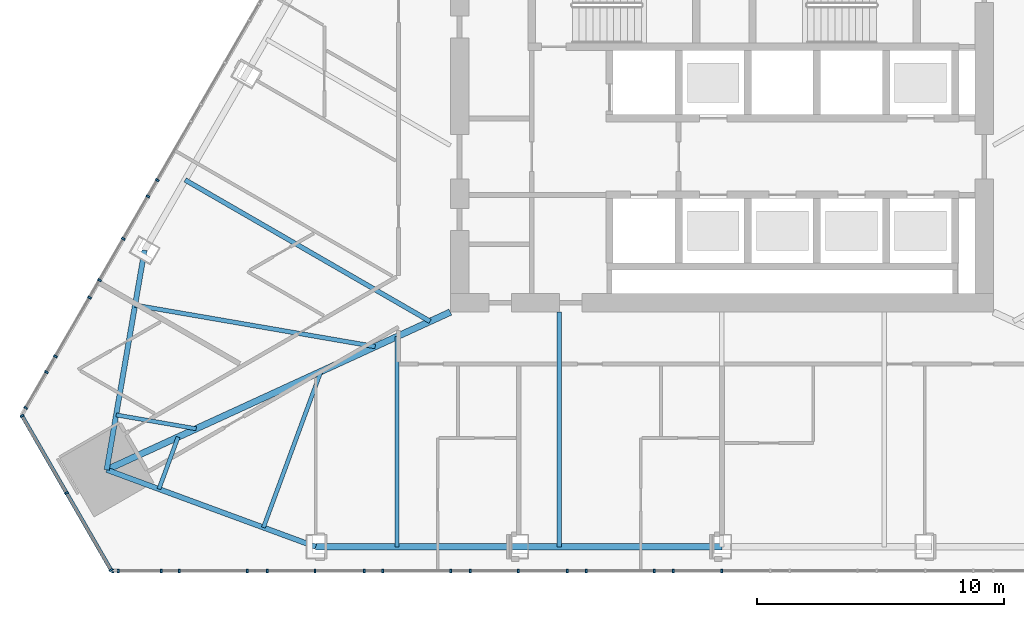
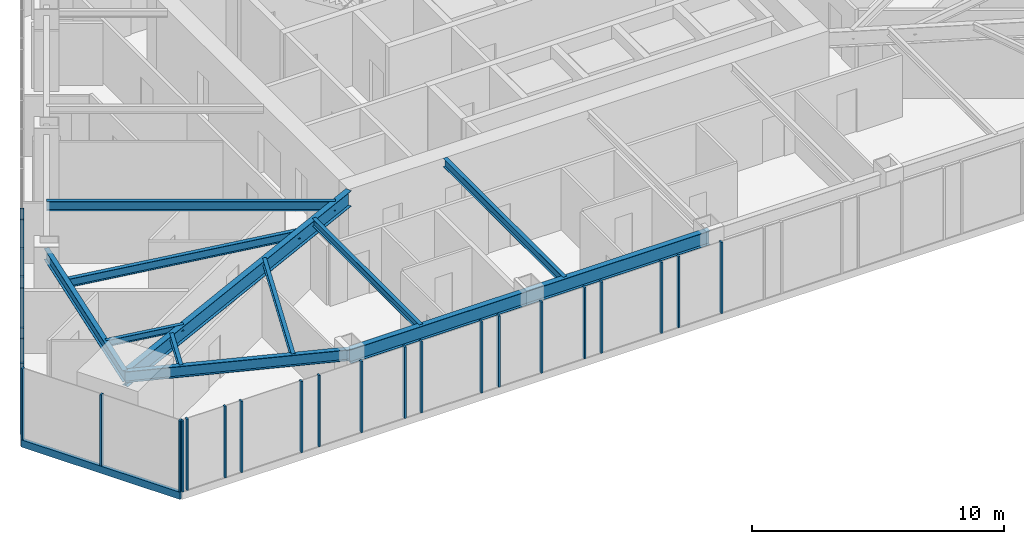
# One storey, part 2 of 24: 29 members, 11 beams, 3 elements without a shape of their own.
"""IFC4 building model written with IfcOpenShell, lengths in metres."""

from ifc_helpers import new_model, si_unit, direction, frame, origin, origin_2d, place, context, subcontext, project, spatial, rectangle, i_section, extrude, material, layer, layer_set, material_profile, profile_set, type_object, element, aggregate, save


model = new_model("IFC4")

# Units and contexts
model_context = context("Model", 3, precision=1e-05, world=origin(), true_north=direction((0.0, 1.0)))
body_context = subcontext(model_context, "Body", "Model", "MODEL_VIEW")
ifc_project = project(units=[si_unit("LENGTHUNIT", "METRE"), si_unit("AREAUNIT", "SQUARE_METRE"), si_unit("VOLUMEUNIT", "CUBIC_METRE"), si_unit("PLANEANGLEUNIT", "RADIAN"), si_unit("MASSUNIT", "GRAM", prefix="KILO")], contexts=[model_context])

# Site, building, storey
site_placement = place(None, origin())
site = spatial("IfcSite", under=ifc_project, at=site_placement, CompositionType="ELEMENT")
building_placement = place(site_placement, origin())
building = spatial("IfcBuilding", under=site, at=building_placement, Name="Firuza Gate Tower and Library", CompositionType="ELEMENT")
storey_placement = place(building_placement, frame((0.0, 0.0, 237.699951171875)))
storey = spatial("IfcBuildingStorey", under=building, at=storey_placement, Name="L56", CompositionType="ELEMENT", Elevation=237.699951171875)

# Curtain wall, members
ifc_material_1 = material(Name="Aluminium 6063-T6", Category="aluminium")
ifc_layer_1 = layer(ifc_material_1, 0.14990234375)
ifc_layer_set_1 = layer_set([ifc_layer_1], Name="Unitised curtain wall, hotel")
curtain_wall_type_1 = type_object("IfcCurtainWallType", Name="Unitised curtain wall, hotel", PredefinedType="NOTDEFINED", material=ifc_layer_set_1)
placement = place(storey_placement, origin())
curtain_wall_1 = element("IfcCurtainWall", 1, at=placement, inside=storey, type_object=curtain_wall_type_1, Name="CW2 L56 S face", PredefinedType="NOTDEFINED")
ifc_material_2 = material(Name="Aluminium 6063-T6", Category="aluminium")
ifc_material_profile_1 = material_profile(ifc_material_2, rectangle(XDim=0.14990234375, YDim=0.080078125, at=origin_2d()))
ifc_profile_set_1 = profile_set([ifc_material_profile_1], Name="Aluminium 6063-T6")
member_type_1 = type_object("IfcMemberType", Name="Curtain wall mullion 80x150", PredefinedType="MULLION", material=ifc_profile_set_1)
member_1_placement = place(storey_placement, frame((50.320068359375, 56.52099609375, 0.150146484375), z_axis=(0.0, 0.0, 1.0), x_axis=(0.0, 1.0, 0.0)))
member_1 = element("IfcMember", 2, at=member_1_placement, type_object=member_type_1, Name="Mullion", PredefinedType="MULLION", context=body_context, shape_type="SweptSolid", body=[
    extrude(rectangle(XDim=0.14990234375, YDim=0.080078125, at=origin_2d()), origin(), (0.0, 0.0, 1.0), 3.449951171875),
])
member_2_placement = place(storey_placement, frame((53.026611328125, 56.52099609375, 0.150146484375), z_axis=(0.0, 0.0, 1.0), x_axis=(0.0, 1.0, 0.0)))
member_2 = element("IfcMember", 3, at=member_2_placement, type_object=member_type_1, Name="Mullion", PredefinedType="MULLION", context=body_context, shape_type="SweptSolid", body=[
    extrude(rectangle(XDim=0.14990234375, YDim=0.080078125, at=origin_2d()), origin(), (0.0, 0.0, 1.0), 3.449951171875),
])
member_3_placement = place(storey_placement, frame((55.7734375, 56.52099609375, 0.150146484375), z_axis=(0.0, 0.0, 1.0), x_axis=(0.0, 1.0, 0.0)))
member_3 = element("IfcMember", 4, at=member_3_placement, type_object=member_type_1, Name="Mullion", PredefinedType="MULLION", context=body_context, shape_type="SweptSolid", body=[
    extrude(rectangle(XDim=0.14990234375, YDim=0.080078125, at=origin_2d()), origin(), (0.0, 0.0, 1.0), 3.449951171875),
])
member_4_placement = place(storey_placement, frame((58.52001953125, 56.52099609375, 0.150146484375), z_axis=(0.0, 0.0, 1.0), x_axis=(0.0, 1.0, 0.0)))
member_4 = element("IfcMember", 5, at=member_4_placement, type_object=member_type_1, Name="Mullion", PredefinedType="MULLION", context=body_context, shape_type="SweptSolid", body=[
    extrude(rectangle(XDim=0.14990234375, YDim=0.080078125, at=origin_2d()), origin(), (0.0, 0.0, 1.0), 3.449951171875),
])
member_5_placement = place(storey_placement, frame((61.2666015625, 56.52099609375, 0.150146484375), z_axis=(0.0, 0.0, 1.0), x_axis=(0.0, 1.0, 0.0)))
member_5 = element("IfcMember", 6, at=member_5_placement, type_object=member_type_1, Name="Mullion", PredefinedType="MULLION", context=body_context, shape_type="SweptSolid", body=[
    extrude(rectangle(XDim=0.14990234375, YDim=0.080078125, at=origin_2d()), origin(), (0.0, 0.0, 1.0), 3.449951171875),
])
member_6_placement = place(storey_placement, frame((64.013427734375, 56.52099609375, 0.150146484375), z_axis=(0.0, 0.0, 1.0), x_axis=(0.0, 1.0, 0.0)))
member_6 = element("IfcMember", 7, at=member_6_placement, type_object=member_type_1, Name="Mullion", PredefinedType="MULLION", context=body_context, shape_type="SweptSolid", body=[
    extrude(rectangle(XDim=0.14990234375, YDim=0.080078125, at=origin_2d()), origin(), (0.0, 0.0, 1.0), 3.449951171875),
])
member_7_placement = place(storey_placement, frame((66.760009765625, 56.52099609375, 0.150146484375), z_axis=(0.0, 0.0, 1.0), x_axis=(0.0, 1.0, 0.0)))
member_7 = element("IfcMember", 8, at=member_7_placement, type_object=member_type_1, Name="Mullion", PredefinedType="MULLION", context=body_context, shape_type="SweptSolid", body=[
    extrude(rectangle(XDim=0.14990234375, YDim=0.080078125, at=origin_2d()), origin(), (0.0, 0.0, 1.0), 3.449951171875),
])
member_8_placement = place(storey_placement, frame((69.506591796875, 56.52099609375, 0.150146484375), z_axis=(0.0, 0.0, 1.0), x_axis=(0.0, 1.0, 0.0)))
member_8 = element("IfcMember", 9, at=member_8_placement, type_object=member_type_1, Name="Mullion", PredefinedType="MULLION", context=body_context, shape_type="SweptSolid", body=[
    extrude(rectangle(XDim=0.14990234375, YDim=0.080078125, at=origin_2d()), origin(), (0.0, 0.0, 1.0), 3.449951171875),
])
member_9_placement = place(storey_placement, frame((72.25341796875, 56.52099609375, 0.150146484375), z_axis=(0.0, 0.0, 1.0), x_axis=(0.0, 1.0, 0.0)))
member_9 = element("IfcMember", 10, at=member_9_placement, type_object=member_type_1, Name="Mullion", PredefinedType="MULLION", context=body_context, shape_type="SweptSolid", body=[
    extrude(rectangle(XDim=0.14990234375, YDim=0.080078125, at=origin_2d()), origin(), (0.0, 0.0, 1.0), 3.449951171875),
])
member_10_placement = place(storey_placement, frame((75.0, 56.52099609375, 0.150146484375), z_axis=(0.0, 0.0, 1.0), x_axis=(0.0, 1.0, 0.0)))
member_10 = element("IfcMember", 11, at=member_10_placement, type_object=member_type_1, Name="Mullion", PredefinedType="MULLION", context=body_context, shape_type="SweptSolid", body=[
    extrude(rectangle(XDim=0.14990234375, YDim=0.080078125, at=origin_2d()), origin(), (0.0, 0.0, 1.0), 3.449951171875),
])
member_11_placement = place(storey_placement, frame((50.546142578125, 56.52099609375, 0.150146484375), z_axis=(0.0, 0.0, 1.0), x_axis=(0.0, 1.0, 0.0)))
member_11 = element("IfcMember", 12, at=member_11_placement, type_object=member_type_1, Name="Mullion", PredefinedType="MULLION", context=body_context, shape_type="SweptSolid", body=[
    extrude(rectangle(XDim=0.14990234375, YDim=0.080078125, at=origin_2d()), origin(), (0.0, 0.0, 1.0), 3.449951171875),
])
member_12_placement = place(storey_placement, frame((52.284912109375, 56.52099609375, 0.150146484375), z_axis=(0.0, 0.0, 1.0), x_axis=(0.0, 1.0, 0.0)))
member_12 = element("IfcMember", 13, at=member_12_placement, type_object=member_type_1, Name="Mullion", PredefinedType="MULLION", context=body_context, shape_type="SweptSolid", body=[
    extrude(rectangle(XDim=0.14990234375, YDim=0.080078125, at=origin_2d()), origin(), (0.0, 0.0, 1.0), 3.449951171875),
])
member_13_placement = place(storey_placement, frame((56.58740234375, 56.52099609375, 0.150146484375), z_axis=(0.0, 0.0, 1.0), x_axis=(0.0, 1.0, 0.0)))
member_13 = element("IfcMember", 14, at=member_13_placement, type_object=member_type_1, Name="Mullion", PredefinedType="MULLION", context=body_context, shape_type="SweptSolid", body=[
    extrude(rectangle(XDim=0.14990234375, YDim=0.080078125, at=origin_2d()), origin(), (0.0, 0.0, 1.0), 3.449951171875),
])
member_14_placement = place(storey_placement, frame((60.510498046875, 56.52099609375, 0.150146484375), z_axis=(0.0, 0.0, 1.0), x_axis=(0.0, 1.0, 0.0)))
member_14 = element("IfcMember", 15, at=member_14_placement, type_object=member_type_1, Name="Mullion", PredefinedType="MULLION", context=body_context, shape_type="SweptSolid", body=[
    extrude(rectangle(XDim=0.14990234375, YDim=0.080078125, at=origin_2d()), origin(), (0.0, 0.0, 1.0), 3.449951171875),
])
member_15_placement = place(storey_placement, frame((64.81298828125, 56.52099609375, 0.150146484375), z_axis=(0.0, 0.0, 1.0), x_axis=(0.0, 1.0, 0.0)))
member_15 = element("IfcMember", 16, at=member_15_placement, type_object=member_type_1, Name="Mullion", PredefinedType="MULLION", context=body_context, shape_type="SweptSolid", body=[
    extrude(rectangle(XDim=0.14990234375, YDim=0.080078125, at=origin_2d()), origin(), (0.0, 0.0, 1.0), 3.449951171875),
])
member_16_placement = place(storey_placement, frame((68.736083984375, 56.52099609375, 0.150146484375), z_axis=(0.0, 0.0, 1.0), x_axis=(0.0, 1.0, 0.0)))
member_16 = element("IfcMember", 17, at=member_16_placement, type_object=member_type_1, Name="Mullion", PredefinedType="MULLION", context=body_context, shape_type="SweptSolid", body=[
    extrude(rectangle(XDim=0.14990234375, YDim=0.080078125, at=origin_2d()), origin(), (0.0, 0.0, 1.0), 3.449951171875),
])
member_17_placement = place(storey_placement, frame((73.038330078125, 56.52099609375, 0.150146484375), z_axis=(0.0, 0.0, 1.0), x_axis=(0.0, 1.0, 0.0)))
member_17 = element("IfcMember", 18, at=member_17_placement, type_object=member_type_1, Name="Mullion", PredefinedType="MULLION", context=body_context, shape_type="SweptSolid", body=[
    extrude(rectangle(XDim=0.14990234375, YDim=0.080078125, at=origin_2d()), origin(), (0.0, 0.0, 1.0), 3.449951171875),
])
aggregate(curtain_wall_1, [member_1, member_2, member_3, member_4, member_5, member_6, member_7, member_8, member_9, member_10, member_11, member_12, member_13, member_14, member_15, member_16, member_17])

curtain_wall_2 = element("IfcCurtainWall", 19, at=placement, inside=storey, type_object=curtain_wall_type_1, Name="CW2 L56 W face", PredefinedType="NOTDEFINED")
member_18_placement = place(storey_placement, frame((52.130126953125, 72.34619140625, 0.150146484375), z_axis=(0.0, 0.0, 1.0), x_axis=(0.866025403784, -0.5, 0.0)))
member_18 = element("IfcMember", 20, at=member_18_placement, type_object=member_type_1, Name="Mullion", PredefinedType="MULLION", context=body_context, shape_type="SweptSolid", body=[
    extrude(rectangle(XDim=0.14990234375, YDim=0.080078125, at=origin_2d()), origin(), (0.0, 0.0, 1.0), 3.449951171875),
])
member_19_placement = place(storey_placement, frame((50.7568359375, 69.967529296875, 0.150146484375), z_axis=(0.0, 0.0, 1.0), x_axis=(0.866025403784, -0.5, 0.0)))
member_19 = element("IfcMember", 21, at=member_19_placement, type_object=member_type_1, Name="Mullion", PredefinedType="MULLION", context=body_context, shape_type="SweptSolid", body=[
    extrude(rectangle(XDim=0.14990234375, YDim=0.080078125, at=origin_2d()), origin(), (0.0, 0.0, 1.0), 3.449951171875),
])
member_20_placement = place(storey_placement, frame((49.383544921875, 67.5888671875, 0.150146484375), z_axis=(0.0, 0.0, 1.0), x_axis=(0.866025403784, -0.5, 0.0)))
member_20 = element("IfcMember", 22, at=member_20_placement, type_object=member_type_1, Name="Mullion", PredefinedType="MULLION", context=body_context, shape_type="SweptSolid", body=[
    extrude(rectangle(XDim=0.14990234375, YDim=0.080078125, at=origin_2d()), origin(), (0.0, 0.0, 1.0), 3.449951171875),
])
member_21_placement = place(storey_placement, frame((48.010009765625, 65.2099609375, 0.150146484375), z_axis=(0.0, 0.0, 1.0), x_axis=(0.866025403784, -0.5, 0.0)))
member_21 = element("IfcMember", 23, at=member_21_placement, type_object=member_type_1, Name="Mullion", PredefinedType="MULLION", context=body_context, shape_type="SweptSolid", body=[
    extrude(rectangle(XDim=0.14990234375, YDim=0.080078125, at=origin_2d()), origin(), (0.0, 0.0, 1.0), 3.449951171875),
])
member_22_placement = place(storey_placement, frame((51.751953125, 71.691162109375, 0.150146484375), z_axis=(0.0, 0.0, 1.0), x_axis=(0.866025403784, -0.5, 0.0)))
member_22 = element("IfcMember", 24, at=member_22_placement, type_object=member_type_1, Name="Mullion", PredefinedType="MULLION", context=body_context, shape_type="SweptSolid", body=[
    extrude(rectangle(XDim=0.14990234375, YDim=0.080078125, at=origin_2d()), origin(), (0.0, 0.0, 1.0), 3.449951171875),
])
member_23_placement = place(storey_placement, frame((49.79052734375, 68.293701171875, 0.150146484375), z_axis=(0.0, 0.0, 1.0), x_axis=(0.866025403784, -0.5, 0.0)))
member_23 = element("IfcMember", 25, at=member_23_placement, type_object=member_type_1, Name="Mullion", PredefinedType="MULLION", context=body_context, shape_type="SweptSolid", body=[
    extrude(rectangle(XDim=0.14990234375, YDim=0.080078125, at=origin_2d()), origin(), (0.0, 0.0, 1.0), 3.449951171875),
])
member_24_placement = place(storey_placement, frame((47.63916015625, 64.567626953125, 0.150146484375), z_axis=(0.0, 0.0, 1.0), x_axis=(0.866025403784, -0.5, 0.0)))
member_24 = element("IfcMember", 26, at=member_24_placement, type_object=member_type_1, Name="Mullion", PredefinedType="MULLION", context=body_context, shape_type="SweptSolid", body=[
    extrude(rectangle(XDim=0.14990234375, YDim=0.080078125, at=origin_2d()), origin(), (0.0, 0.0, 1.0), 3.449951171875),
])
member_25_placement = place(storey_placement, frame((46.80224609375, 63.1181640625, 0.150146484375), z_axis=(0.0, 0.0, 1.0), x_axis=(0.866025403784, -0.5, 0.0)))
member_25 = element("IfcMember", 27, at=member_25_placement, type_object=member_type_1, Name="Mullion", PredefinedType="MULLION", context=body_context, shape_type="SweptSolid", body=[
    extrude(rectangle(XDim=0.14990234375, YDim=0.080078125, at=origin_2d()), origin(), (0.0, 0.0, 1.0), 3.449951171875),
])
aggregate(curtain_wall_2, [member_18, member_19, member_20, member_21, member_22, member_23, member_24, member_25])

ifc_material_3 = material(Name="Aluminium 6063-T6", Category="aluminium")
ifc_layer_2 = layer(ifc_material_3, 0.14990234375)
ifc_layer_set_2 = layer_set([ifc_layer_2], Name="Corner curtain wall, chamfers")
curtain_wall_type_2 = type_object("IfcCurtainWallType", Name="Corner curtain wall, chamfers", PredefinedType="NOTDEFINED", material=ifc_layer_set_2)
curtain_wall_3 = element("IfcCurtainWall", 28, at=placement, inside=storey, type_object=curtain_wall_type_2, Name="CW4 L56 SW corner", PredefinedType="NOTDEFINED")
member_26_placement = place(storey_placement, frame((46.65673828125, 62.796875, 0.150146484375), z_axis=(0.0, 0.0, 1.0), x_axis=(0.866025403784, 0.5, 0.0)))
member_26 = element("IfcMember", 29, at=member_26_placement, type_object=member_type_1, Name="Mullion", PredefinedType="MULLION", context=body_context, shape_type="SweptSolid", body=[
    extrude(rectangle(XDim=0.14990234375, YDim=0.080078125, at=origin_2d()), origin(), (0.0, 0.0, 1.0), 3.449951171875),
])
member_27_placement = place(storey_placement, frame((48.45849609375, 59.67626953125, 0.150146484375), z_axis=(0.0, 0.0, 1.0), x_axis=(0.866025403784, 0.5, 0.0)))
member_27 = element("IfcMember", 30, at=member_27_placement, type_object=member_type_1, Name="Mullion", PredefinedType="MULLION", context=body_context, shape_type="SweptSolid", body=[
    extrude(rectangle(XDim=0.14990234375, YDim=0.080078125, at=origin_2d()), origin(), (0.0, 0.0, 1.0), 3.449951171875),
])
member_28_placement = place(storey_placement, frame((50.260009765625, 56.5556640625, 0.150146484375), z_axis=(0.0, 0.0, 1.0), x_axis=(0.866025403784, 0.5, 0.0)))
member_28 = element("IfcMember", 31, at=member_28_placement, type_object=member_type_1, Name="Mullion", PredefinedType="MULLION", context=body_context, shape_type="SweptSolid", body=[
    extrude(rectangle(XDim=0.14990234375, YDim=0.080078125, at=origin_2d()), origin(), (0.0, 0.0, 1.0), 3.449951171875),
])
ifc_material_4 = material(Name="Aluminium 6063-T6", Category="aluminium")
ifc_material_profile_2 = material_profile(ifc_material_4, rectangle(XDim=0.14990234375, YDim=0.35009765625, at=origin_2d()))
ifc_profile_set_2 = profile_set([ifc_material_profile_2], Name="Aluminium 6063-T6")
member_type_2 = type_object("IfcMemberType", Name="Curtain wall transom 350x150", PredefinedType="USERDEFINED", material=ifc_profile_set_2)
member_29_placement = place(storey_placement, frame((46.63671875, 62.831298828125, -0.02490234375), z_axis=(0.500005719219, -0.866022101766, 0.0), x_axis=(0.866022101766, 0.500005719219, 0.0)))
member_29 = element("IfcMember", 32, at=member_29_placement, type_object=member_type_2, Name="Transom", ObjectType="TRANSOM", PredefinedType="USERDEFINED", context=body_context, shape_type="SweptSolid", body=[
    extrude(rectangle(XDim=0.14990234375, YDim=0.35009765625, at=origin_2d()), origin(), (0.0, 0.0, 1.0), 7.28662109375),
])
aggregate(curtain_wall_3, [member_26, member_27, member_28, member_29])

# Beams
ifc_material_5 = material(Name="Steel S355", Category="steel")
ifc_material_profile_3 = material_profile(ifc_material_5, i_section(OverallWidth=0.1650390625, OverallDepth=0.31005859375, WebThickness=0.005859375, FlangeThickness=0.009765625, at=origin_2d()))
ifc_profile_set_3 = profile_set([ifc_material_profile_3], Name="Steel S355")
beam_type_1 = type_object("IfcBeamType", Name="W310x39 Floor beam", PredefinedType="JOIST", material=ifc_profile_set_3)
beam_1_placement = place(storey_placement, frame((50.465576171875, 62.83642578125, 3.445068359375), z_axis=(0.985455831019, -0.169931766042, 0.0), x_axis=(0.169931766042, 0.985455831019, 0.0)))
element("IfcBeam", 33, at=beam_1_placement, inside=storey, type_object=beam_type_1, Name="Floor beam L56 s01", PredefinedType="JOIST", context=body_context, shape_type="SweptSolid", body=[
    extrude(i_section(OverallWidth=0.1650390625, OverallDepth=0.31005859375, WebThickness=0.005859375, FlangeThickness=0.009765625, at=origin_2d()), origin(), (0.0, 0.0, 1.0), 3.2900390625),
])
beam_2_placement = place(storey_placement, frame((52.198974609375, 59.834228515625, 3.445068359375), z_axis=(0.345503762559, 0.938417364533, 0.0), x_axis=(-0.938417364533, 0.345503762559, 0.0)))
element("IfcBeam", 34, at=beam_2_placement, inside=storey, type_object=beam_type_1, Name="Floor beam L56 s10", PredefinedType="JOIST", context=body_context, shape_type="SweptSolid", body=[
    extrude(i_section(OverallWidth=0.1650390625, OverallDepth=0.31005859375, WebThickness=0.005859375, FlangeThickness=0.009765625, at=origin_2d()), origin(), (0.0, 0.0, 1.0), 2.244873046875),
])
beam_3_placement = place(storey_placement, frame((56.43212890625, 58.275390625, 3.445068359375), z_axis=(0.3455793619, 0.938389527131, 0.0), x_axis=(-0.938389527131, 0.3455793619, 0.0)))
element("IfcBeam", 35, at=beam_3_placement, inside=storey, type_object=beam_type_1, Name="Floor beam L56 s11", PredefinedType="JOIST", context=body_context, shape_type="SweptSolid", body=[
    extrude(i_section(OverallWidth=0.1650390625, OverallDepth=0.31005859375, WebThickness=0.005859375, FlangeThickness=0.009765625, at=origin_2d()), origin(), (0.0, 0.0, 1.0), 6.73486328125),
])
ifc_material_6 = material(Name="Steel S355", Category="steel")
ifc_material_profile_4 = material_profile(ifc_material_6, i_section(OverallWidth=0.1708984375, OverallDepth=0.35498046875, WebThickness=0.007080078125, FlangeThickness=0.01171875, at=origin_2d()))
ifc_profile_set_4 = profile_set([ifc_material_profile_4], Name="Steel S355")
beam_type_2 = type_object("IfcBeamType", Name="W360x51 Floor beam", PredefinedType="JOIST", material=ifc_profile_set_4)
beam_4_placement = place(storey_placement, frame((61.839111328125, 57.49609375, 3.422607421875), z_axis=(0.0, 1.0, 0.0), x_axis=(-1.0, 0.0, 0.0)))
element("IfcBeam", 36, at=beam_4_placement, inside=storey, type_object=beam_type_2, Name="Floor beam L56 s20", PredefinedType="JOIST", context=body_context, shape_type="SweptSolid", body=[
    extrude(i_section(OverallWidth=0.1708984375, OverallDepth=0.35498046875, WebThickness=0.007080078125, FlangeThickness=0.01171875, at=origin_2d()), origin(), (0.0, 0.0, 1.0), 8.512451171875),
])
ifc_material_7 = material(Name="Steel S355", Category="steel")
ifc_material_profile_5 = material_profile(ifc_material_7, i_section(OverallWidth=0.177978515625, OverallDepth=0.406982421875, WebThickness=0.0078125, FlangeThickness=0.0126953125, at=origin_2d()))
ifc_profile_set_5 = profile_set([ifc_material_profile_5], Name="Steel S355")
beam_type_3 = type_object("IfcBeamType", Name="W410x60 Floor beam", PredefinedType="JOIST", material=ifc_profile_set_5)
beam_5_placement = place(storey_placement, frame((51.232177734375, 67.2822265625, 3.396484375), z_axis=(0.985452403009, -0.169951644313, 0.0), x_axis=(0.169951644313, 0.985452403009, 0.0)))
element("IfcBeam", 37, at=beam_5_placement, inside=storey, type_object=beam_type_3, Name="Floor beam L56 s00", PredefinedType="JOIST", context=body_context, shape_type="SweptSolid", body=[
    extrude(i_section(OverallWidth=0.177978515625, OverallDepth=0.406982421875, WebThickness=0.0078125, FlangeThickness=0.0126953125, at=origin_2d()), origin(), (0.0, 0.0, 1.0), 9.870361328125),
])
beam_6_placement = place(storey_placement, frame((68.419677734375, 57.49609375, 3.396484375), z_axis=(0.0, 1.0, 0.0), x_axis=(-1.0, 0.0, 0.0)))
element("IfcBeam", 38, at=beam_6_placement, inside=storey, type_object=beam_type_3, Name="Floor beam L56 s21", PredefinedType="JOIST", context=body_context, shape_type="SweptSolid", body=[
    extrude(i_section(OverallWidth=0.177978515625, OverallDepth=0.406982421875, WebThickness=0.0078125, FlangeThickness=0.0126953125, at=origin_2d()), origin(), (0.0, 0.0, 1.0), 9.50390625),
])
ifc_material_8 = material(Name="Steel S355", Category="steel")
ifc_material_profile_6 = material_profile(ifc_material_8, i_section(OverallWidth=0.18994140625, OverallDepth=0.45703125, WebThickness=0.009033203125, FlangeThickness=0.014404296875, at=origin_2d()))
ifc_profile_set_6 = profile_set([ifc_material_profile_6], Name="Steel S355")
beam_type_4 = type_object("IfcBeamType", Name="W460x74 Floor beam", PredefinedType="JOIST", material=ifc_profile_set_6)
beam_7_placement = place(storey_placement, frame((53.2607421875, 72.354248046875, 3.37158203125), z_axis=(0.866023783073, -0.500002807145, 0.0), x_axis=(0.500002807145, 0.866023783073, 0.0)))
element("IfcBeam", 39, at=beam_7_placement, inside=storey, type_object=beam_type_4, Name="Floor beam L56 s84", PredefinedType="JOIST", context=body_context, shape_type="SweptSolid", body=[
    extrude(i_section(OverallWidth=0.18994140625, OverallDepth=0.45703125, WebThickness=0.009033203125, FlangeThickness=0.014404296875, at=origin_2d()), origin(), (0.0, 0.0, 1.0), 11.4580078125),
])
ifc_material_9 = material(Name="Steel S355", Category="steel")
ifc_material_profile_7 = material_profile(ifc_material_9, i_section(OverallWidth=0.212890625, OverallDepth=0.5390625, WebThickness=0.01171875, FlangeThickness=0.018798828125, at=origin_2d()))
ifc_profile_set_7 = profile_set([ifc_material_profile_7], Name="Steel S355")
beam_type_5 = type_object("IfcBeamType", Name="W530x109 Edge beam", PredefinedType="SPANDREL", material=ifc_profile_set_7)
beam_8_placement = place(storey_placement, frame((51.615478515625, 69.5048828125, 3.33056640625), z_axis=(-0.169934101, -0.985455428377, 0.0), x_axis=(0.985455428377, -0.169934101, 0.0)))
element("IfcBeam", 40, at=beam_8_placement, inside=storey, type_object=beam_type_5, Name="Edge beam L56 e00", PredefinedType="SPANDREL", context=body_context, shape_type="SweptSolid", body=[
    extrude(i_section(OverallWidth=0.212890625, OverallDepth=0.5390625, WebThickness=0.01171875, FlangeThickness=0.018798828125, at=origin_2d()), origin(), (0.0, 0.0, 1.0), 9.0224609375),
])
beam_9_placement = place(storey_placement, frame((50.082275390625, 60.61376953125, 3.33056640625), z_axis=(0.938399929304, -0.345551114427, 0.0), x_axis=(0.345551114427, 0.938399929304, 0.0)))
element("IfcBeam", 41, at=beam_9_placement, inside=storey, type_object=beam_type_5, Name="Edge beam L56 e10", PredefinedType="SPANDREL", context=body_context, shape_type="SweptSolid", body=[
    extrude(i_section(OverallWidth=0.212890625, OverallDepth=0.5390625, WebThickness=0.01171875, FlangeThickness=0.018798828125, at=origin_2d()), origin(), (0.0, 0.0, 1.0), 9.022216796875),
])
ifc_material_10 = material(Name="Steel S355", Category="steel")
ifc_material_profile_8 = material_profile(ifc_material_10, i_section(OverallWidth=0.2529296875, OverallDepth=0.677978515625, WebThickness=0.01171875, FlangeThickness=0.016357421875, at=origin_2d()))
ifc_profile_set_8 = profile_set([ifc_material_profile_8], Name="Steel S355")
beam_type_6 = type_object("IfcBeamType", Name="W690x125 Edge beam", PredefinedType="SPANDREL", material=ifc_profile_set_8)
beam_10_placement = place(storey_placement, frame((58.548828125, 57.49609375, 3.260986328125), z_axis=(1.0, 0.0, 0.0), x_axis=(0.0, 1.0, 0.0)))
element("IfcBeam", 42, at=beam_10_placement, inside=storey, type_object=beam_type_6, Name="Edge beam L56 e20", PredefinedType="SPANDREL", context=body_context, shape_type="SweptSolid", body=[
    extrude(i_section(OverallWidth=0.2529296875, OverallDepth=0.677978515625, WebThickness=0.01171875, FlangeThickness=0.016357421875, at=origin_2d()), origin(), (0.0, 0.0, 1.0), 16.451171875),
])
ifc_material_11 = material(Name="Steel S355", Category="steel")
ifc_material_profile_9 = material_profile(ifc_material_11, i_section(OverallWidth=0.264892578125, OverallDepth=0.7529296875, WebThickness=0.01318359375, FlangeThickness=0.01708984375, at=origin_2d()))
ifc_profile_set_9 = profile_set([ifc_material_profile_9], Name="Steel S355")
beam_type_7 = type_object("IfcBeamType", Name="W760x147 Girder", PredefinedType="BEAM", material=ifc_profile_set_9)
beam_11_placement = place(storey_placement, frame((50.082275390625, 60.61376953125, 3.2236328125), z_axis=(0.908884831749, 0.417047194711, 0.0), x_axis=(-0.417047194711, 0.908884831749, 0.0)))
element("IfcBeam", 43, at=beam_11_placement, inside=storey, type_object=beam_type_7, Name="Girder L56 gSW", PredefinedType="BEAM", context=body_context, shape_type="SweptSolid", body=[
    extrude(i_section(OverallWidth=0.264892578125, OverallDepth=0.7529296875, WebThickness=0.01318359375, FlangeThickness=0.01708984375, at=origin_2d()), origin(), (0.0, 0.0, 1.0), 15.31298828125),
])

save(model, "model.ifc")
